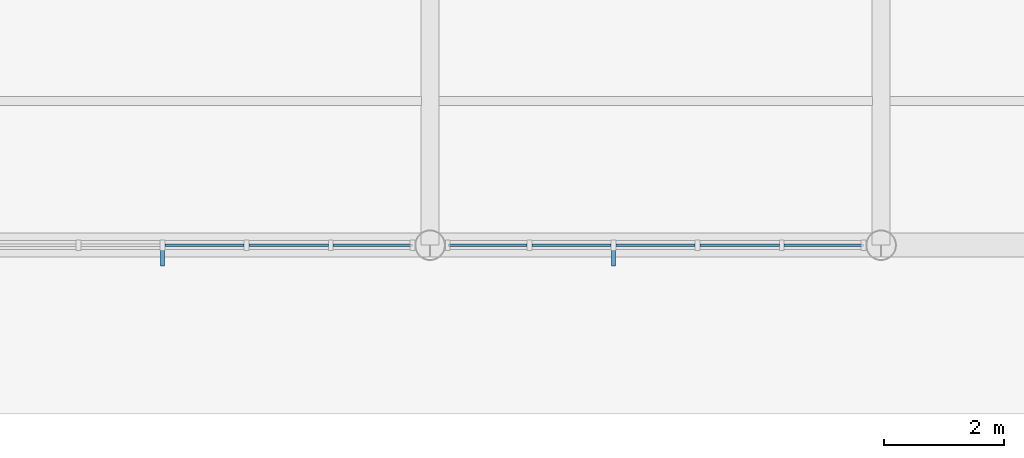
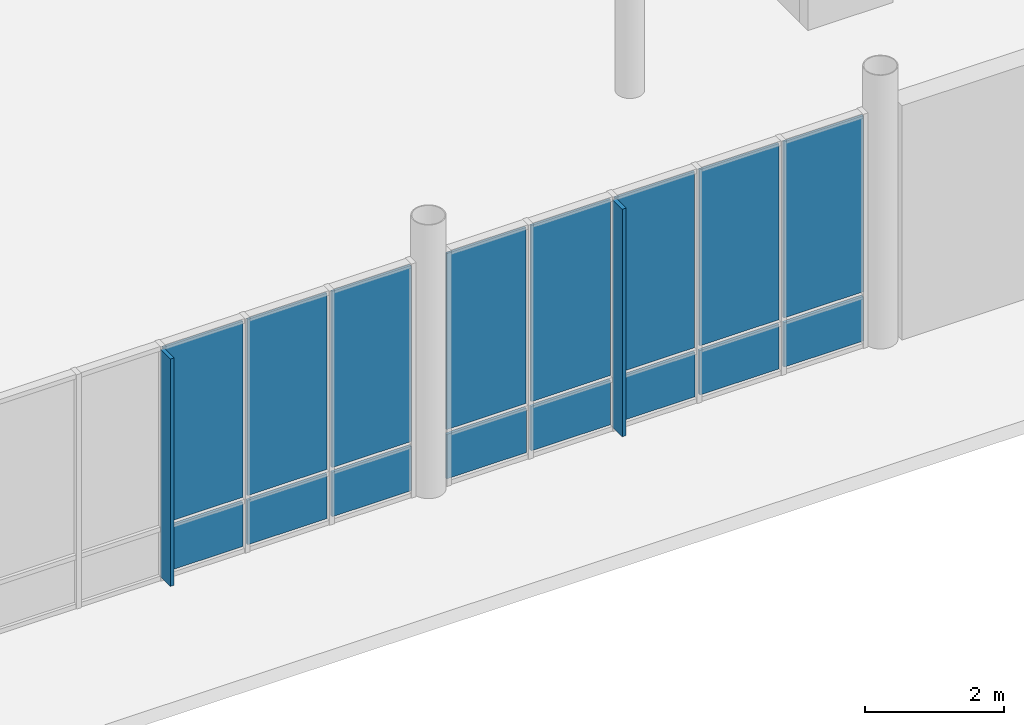
# One storey, part 37 of 82: 18 plates, 2 elements without a shape of their own.
"""IFC4 building model written with IfcOpenShell, lengths in metres."""

from ifc_helpers import new_model, si_unit, direction, frame, origin, origin_2d, place, context, subcontext, project, spatial, rectangle, extrude, material, layer, layer_set, type_object, element, aggregate, save


model = new_model("IFC4")

# Units and contexts
model_context = context("Model", 3, precision=1e-05, world=origin(), true_north=direction((0.0, 1.0)))
body_context = subcontext(model_context, "Body", "Model", "MODEL_VIEW")
ifc_project = project(units=[si_unit("LENGTHUNIT", "METRE"), si_unit("AREAUNIT", "SQUARE_METRE"), si_unit("VOLUMEUNIT", "CUBIC_METRE"), si_unit("PLANEANGLEUNIT", "RADIAN"), si_unit("MASSUNIT", "GRAM", prefix="KILO")], contexts=[model_context])

# Site, building, storey
site_placement = place(None, origin())
site = spatial("IfcSite", under=ifc_project, at=site_placement, CompositionType="ELEMENT")
building_placement = place(site_placement, origin())
building = spatial("IfcBuilding", under=site, at=building_placement, Name="Yukiwa Park Conservatory and Herbarium", CompositionType="ELEMENT")
storey_placement = place(building_placement, origin())
storey = spatial("IfcBuildingStorey", under=building, at=storey_placement, Name="L00", CompositionType="ELEMENT", Elevation=0.0)

# Curtain wall, plates
ifc_material_1 = material(Name="Triple Low-E Insulated Glass", Category="glass")
ifc_layer_1 = layer(ifc_material_1, 0.152099609375)
ifc_layer_set_1 = layer_set([ifc_layer_1], Name="Triple Low-E Insulated Glass")
curtain_wall_type = type_object("IfcCurtainWallType", Name="CW-CONSERVATORY-1500", PredefinedType="NOTDEFINED", material=ifc_layer_set_1)
curtain_wall_1_placement = place(storey_placement, origin())
curtain_wall_1 = element("IfcCurtainWall", 1, at=curtain_wall_1_placement, inside=storey, type_object=curtain_wall_type, Name="L00 unitised curtain wall CW-L00-003", PredefinedType="NOTDEFINED")
ifc_material_2 = material(Name="Triple Low-E Insulated Glass", Category="glass")
ifc_layer_2 = layer(ifc_material_2, 0.035888671875)
ifc_layer_set_2 = layer_set([ifc_layer_2], Name="Triple Low-E Insulated Glass")
plate_type_1 = type_object("IfcPlateType", Name="PL-CW-GLZ-36", PredefinedType="CURTAIN_PANEL", material=ifc_layer_set_2)
plate_1_placement = place(storey_placement, frame((41.25, 0.0, 0.93994140625), z_axis=(0.0, 0.0, 1.0), x_axis=(1.0, 0.0, 0.0)))
plate_1 = element("IfcPlate", 2, at=plate_1_placement, type_object=plate_type_1, Name="CW-L00-003 vision panel 3.2", PredefinedType="CURTAIN_PANEL", context=body_context, shape_type="SweptSolid", body=[
    extrude(rectangle(XDim=1.318359375, YDim=0.035888671875, at=origin_2d()), origin(), (0.0, 0.0, 1.0), 3.090087890625),
])
plate_2_placement = place(storey_placement, frame((42.6484375, 0.0, 0.93994140625), z_axis=(0.0, 0.0, 1.0), x_axis=(1.0, 0.0, 0.0)))
plate_2 = element("IfcPlate", 3, at=plate_2_placement, type_object=plate_type_1, Name="CW-L00-003 vision panel 4.2", PredefinedType="CURTAIN_PANEL", context=body_context, shape_type="SweptSolid", body=[
    extrude(rectangle(XDim=1.318359375, YDim=0.035888671875, at=origin_2d()), origin(), (0.0, 0.0, 1.0), 3.090087890625),
])
plate_3_placement = place(storey_placement, frame((44.046875, 0.0, 0.93994140625), z_axis=(0.0, 0.0, 1.0), x_axis=(1.0, 0.0, 0.0)))
plate_3 = element("IfcPlate", 4, at=plate_3_placement, type_object=plate_type_1, Name="CW-L00-003 vision panel 5.2", PredefinedType="CURTAIN_PANEL", context=body_context, shape_type="SweptSolid", body=[
    extrude(rectangle(XDim=1.318359375, YDim=0.035888671875, at=origin_2d()), origin(), (0.0, 0.0, 1.0), 3.090087890625),
])

curtain_wall_2_placement = place(storey_placement, origin())
curtain_wall_2 = element("IfcCurtainWall", 5, at=curtain_wall_2_placement, inside=storey, type_object=curtain_wall_type, Name="L00 unitised curtain wall CW-L00-004", PredefinedType="NOTDEFINED")
plate_4_placement = place(storey_placement, frame((45.953125, 0.0, 0.93994140625), z_axis=(0.0, 0.0, 1.0), x_axis=(1.0, 0.0, 0.0)))
plate_4 = element("IfcPlate", 6, at=plate_4_placement, type_object=plate_type_1, Name="CW-L00-004 vision panel 1.2", PredefinedType="CURTAIN_PANEL", context=body_context, shape_type="SweptSolid", body=[
    extrude(rectangle(XDim=1.318359375, YDim=0.035888671875, at=origin_2d()), origin(), (0.0, 0.0, 1.0), 3.090087890625),
])
plate_5_placement = place(storey_placement, frame((47.3515625, 0.0, 0.93994140625), z_axis=(0.0, 0.0, 1.0), x_axis=(1.0, 0.0, 0.0)))
plate_5 = element("IfcPlate", 7, at=plate_5_placement, type_object=plate_type_1, Name="CW-L00-004 vision panel 2.2", PredefinedType="CURTAIN_PANEL", context=body_context, shape_type="SweptSolid", body=[
    extrude(rectangle(XDim=1.318359375, YDim=0.035888671875, at=origin_2d()), origin(), (0.0, 0.0, 1.0), 3.090087890625),
])
plate_6_placement = place(storey_placement, frame((48.75, 0.0, 0.93994140625), z_axis=(0.0, 0.0, 1.0), x_axis=(1.0, 0.0, 0.0)))
plate_6 = element("IfcPlate", 8, at=plate_6_placement, type_object=plate_type_1, Name="CW-L00-004 vision panel 3.2", PredefinedType="CURTAIN_PANEL", context=body_context, shape_type="SweptSolid", body=[
    extrude(rectangle(XDim=1.318359375, YDim=0.035888671875, at=origin_2d()), origin(), (0.0, 0.0, 1.0), 3.090087890625),
])
plate_7_placement = place(storey_placement, frame((50.1484375, 0.0, 0.93994140625), z_axis=(0.0, 0.0, 1.0), x_axis=(1.0, 0.0, 0.0)))
plate_7 = element("IfcPlate", 9, at=plate_7_placement, type_object=plate_type_1, Name="CW-L00-004 vision panel 4.2", PredefinedType="CURTAIN_PANEL", context=body_context, shape_type="SweptSolid", body=[
    extrude(rectangle(XDim=1.318359375, YDim=0.035888671875, at=origin_2d()), origin(), (0.0, 0.0, 1.0), 3.090087890625),
])
plate_8_placement = place(storey_placement, frame((51.546875, 0.0, 0.93994140625), z_axis=(0.0, 0.0, 1.0), x_axis=(1.0, 0.0, 0.0)))
plate_8 = element("IfcPlate", 10, at=plate_8_placement, type_object=plate_type_1, Name="CW-L00-004 vision panel 5.2", PredefinedType="CURTAIN_PANEL", context=body_context, shape_type="SweptSolid", body=[
    extrude(rectangle(XDim=1.318359375, YDim=0.035888671875, at=origin_2d()), origin(), (0.0, 0.0, 1.0), 3.090087890625),
])

# Plate
ifc_material_3 = material(Name="Anodised Aluminium", Category="aluminium")
ifc_layer_3 = layer(ifc_material_3, 0.044921875)
ifc_layer_set_3 = layer_set([ifc_layer_3], Name="Anodised Aluminium")
plate_type_2 = type_object("IfcPlateType", Name="PL-CW-SPN-45", PredefinedType="CURTAIN_PANEL", material=ifc_layer_set_3)
plate_9_placement = place(storey_placement, frame((41.25, 0.0, 0.080078125), z_axis=(0.0, 0.0, 1.0), x_axis=(1.0, 0.0, 0.0)))
plate_9 = element("IfcPlate", 11, at=plate_9_placement, type_object=plate_type_2, Name="CW-L00-003 spandrel panel 3.1", PredefinedType="CURTAIN_PANEL", context=body_context, shape_type="SweptSolid", body=[
    extrude(rectangle(XDim=1.318359375, YDim=0.044921875, at=origin_2d()), origin(), (0.0, 0.0, 1.0), 0.780029296875),
])

plate_10_placement = place(storey_placement, frame((42.6484375, 0.0, 0.080078125), z_axis=(0.0, 0.0, 1.0), x_axis=(1.0, 0.0, 0.0)))
plate_10 = element("IfcPlate", 12, at=plate_10_placement, type_object=plate_type_2, Name="CW-L00-003 spandrel panel 4.1", PredefinedType="CURTAIN_PANEL", context=body_context, shape_type="SweptSolid", body=[
    extrude(rectangle(XDim=1.318359375, YDim=0.044921875, at=origin_2d()), origin(), (0.0, 0.0, 1.0), 0.780029296875),
])

plate_11_placement = place(storey_placement, frame((44.046875, 0.0, 0.080078125), z_axis=(0.0, 0.0, 1.0), x_axis=(1.0, 0.0, 0.0)))
plate_11 = element("IfcPlate", 13, at=plate_11_placement, type_object=plate_type_2, Name="CW-L00-003 spandrel panel 5.1", PredefinedType="CURTAIN_PANEL", context=body_context, shape_type="SweptSolid", body=[
    extrude(rectangle(XDim=1.318359375, YDim=0.044921875, at=origin_2d()), origin(), (0.0, 0.0, 1.0), 0.780029296875),
])

aggregate(curtain_wall_1, [plate_9, plate_1, plate_10, plate_2, plate_11, plate_3])

plate_12_placement = place(storey_placement, frame((45.953125, 0.0, 0.080078125), z_axis=(0.0, 0.0, 1.0), x_axis=(1.0, 0.0, 0.0)))
plate_12 = element("IfcPlate", 14, at=plate_12_placement, type_object=plate_type_2, Name="CW-L00-004 spandrel panel 1.1", PredefinedType="CURTAIN_PANEL", context=body_context, shape_type="SweptSolid", body=[
    extrude(rectangle(XDim=1.318359375, YDim=0.044921875, at=origin_2d()), origin(), (0.0, 0.0, 1.0), 0.780029296875),
])

plate_13_placement = place(storey_placement, frame((47.3515625, 0.0, 0.080078125), z_axis=(0.0, 0.0, 1.0), x_axis=(1.0, 0.0, 0.0)))
plate_13 = element("IfcPlate", 15, at=plate_13_placement, type_object=plate_type_2, Name="CW-L00-004 spandrel panel 2.1", PredefinedType="CURTAIN_PANEL", context=body_context, shape_type="SweptSolid", body=[
    extrude(rectangle(XDim=1.318359375, YDim=0.044921875, at=origin_2d()), origin(), (0.0, 0.0, 1.0), 0.780029296875),
])

plate_14_placement = place(storey_placement, frame((48.75, 0.0, 0.080078125), z_axis=(0.0, 0.0, 1.0), x_axis=(1.0, 0.0, 0.0)))
plate_14 = element("IfcPlate", 16, at=plate_14_placement, type_object=plate_type_2, Name="CW-L00-004 spandrel panel 3.1", PredefinedType="CURTAIN_PANEL", context=body_context, shape_type="SweptSolid", body=[
    extrude(rectangle(XDim=1.318359375, YDim=0.044921875, at=origin_2d()), origin(), (0.0, 0.0, 1.0), 0.780029296875),
])

plate_15_placement = place(storey_placement, frame((50.1484375, 0.0, 0.080078125), z_axis=(0.0, 0.0, 1.0), x_axis=(1.0, 0.0, 0.0)))
plate_15 = element("IfcPlate", 17, at=plate_15_placement, type_object=plate_type_2, Name="CW-L00-004 spandrel panel 4.1", PredefinedType="CURTAIN_PANEL", context=body_context, shape_type="SweptSolid", body=[
    extrude(rectangle(XDim=1.318359375, YDim=0.044921875, at=origin_2d()), origin(), (0.0, 0.0, 1.0), 0.780029296875),
])

plate_16_placement = place(storey_placement, frame((51.546875, 0.0, 0.080078125), z_axis=(0.0, 0.0, 1.0), x_axis=(1.0, 0.0, 0.0)))
plate_16 = element("IfcPlate", 18, at=plate_16_placement, type_object=plate_type_2, Name="CW-L00-004 spandrel panel 5.1", PredefinedType="CURTAIN_PANEL", context=body_context, shape_type="SweptSolid", body=[
    extrude(rectangle(XDim=1.318359375, YDim=0.044921875, at=origin_2d()), origin(), (0.0, 0.0, 1.0), 0.780029296875),
])

aggregate(curtain_wall_2, [plate_12, plate_4, plate_13, plate_5, plate_14, plate_6, plate_15, plate_7, plate_16, plate_8])

# Plates
ifc_material_4 = material(Name="Charred Larch Cladding", Category="wood")
ifc_layer_4 = layer(ifc_material_4, 0.06494140625)
ifc_layer_set_4 = layer_set([ifc_layer_4], Name="Charred Larch Cladding")
plate_type_3 = type_object("IfcPlateType", Name="PL-FIN-LARCH-65", PredefinedType="USERDEFINED", material=ifc_layer_set_4)
for number, where, z_axis, x_axis, name in (
    (19, (40.55078125, -0.205078125, 0.06005859375), (0.0, 0.0, 1.0), (1.0, 0.0, 0.0), "CW-L00-003 exterior vertical shading fin"),
    (20, (48.05078125, -0.205078125, 0.06005859375), (0.0, 0.0, 1.0), (1.0, 0.0, 0.0), "CW-L00-004 exterior vertical shading fin"),
):
    element("IfcPlate", number, at=place(storey_placement, frame(where, z_axis=z_axis, x_axis=x_axis)), inside=storey, type_object=plate_type_3, Name=name, ObjectType="SHADING FIN", PredefinedType="USERDEFINED", context=body_context, shape_type="SweptSolid", body=[
        extrude(rectangle(XDim=0.06494140625, YDim=0.280029296875, at=origin_2d()), origin(), (0.0, 0.0, 1.0), 3.989990234375),
    ])

save(model, "model.ifc")
